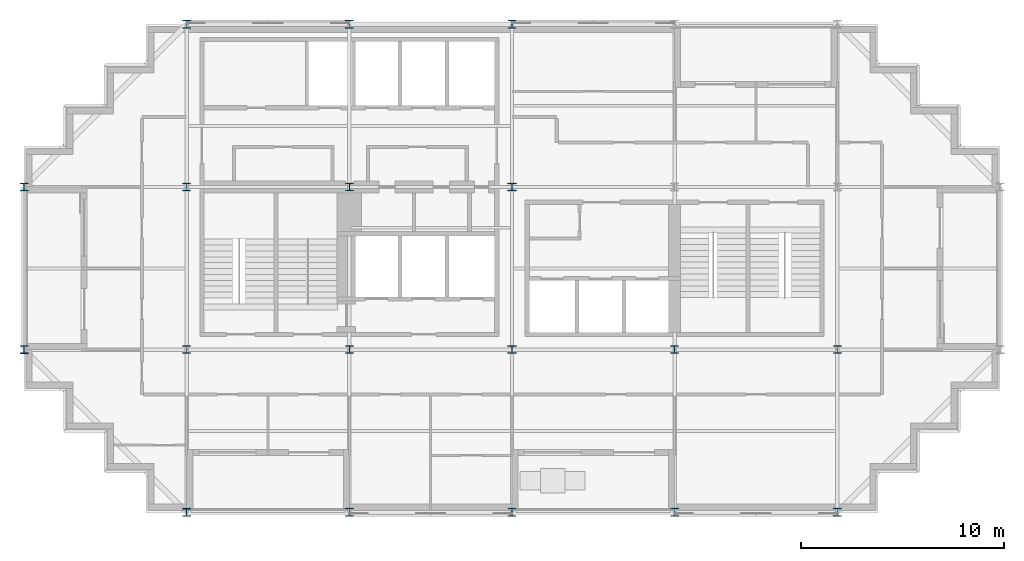
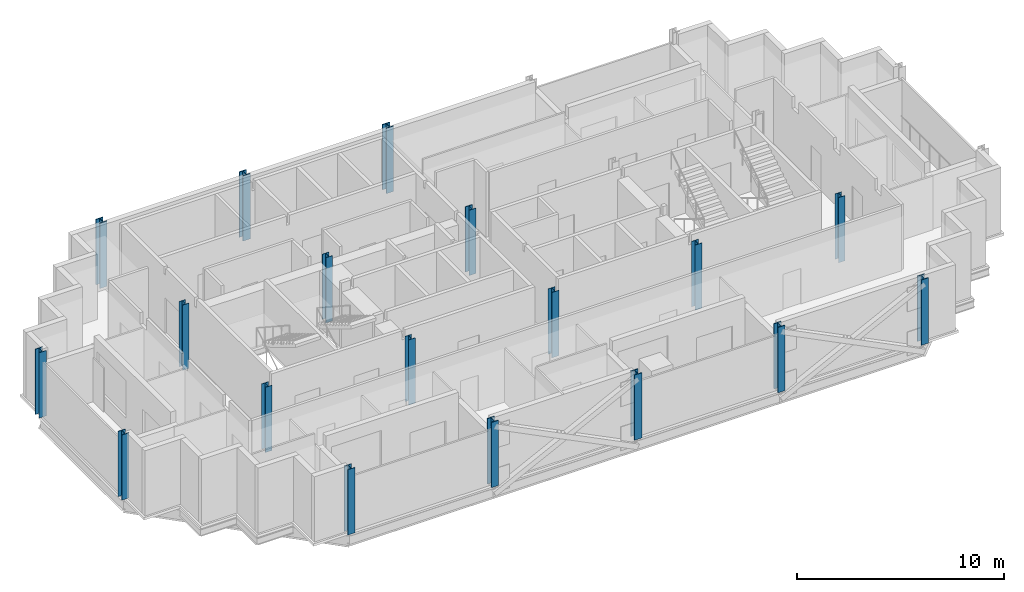
# One storey, part 1 of 10: 18 columns.
"""IFC4 building model written with IfcOpenShell, lengths in metres."""

import ifcopenshell
import ifcopenshell.guid

model = None  # the IFC model being written
_history = None  # IfcOwnerHistory: only IFC2X3 demands one
_inside = {}  # id of a spatial element -> (the spatial element, [elements in it])
_under = {}  # id of a project, library or spatial element -> (it, [spatial elements below it])
_declared = {}  # id of a project -> (the project, [libraries it declares])
_typed = {}  # id of a type object -> (the type object, [elements of that type])
_made_of = {}  # id of a material, layer set ... -> (it, [elements and type objects made of it])


def new_model(schema):
    """Start an empty IFC model of exactly this schema.

    Asked for "IFC4X3", IfcOpenShell would pick the latest addendum, in which some entities
    have other attributes; the version numbers below select the first issue.
    IFC2X3 requires an IfcOwnerHistory on every rooted entity: one is made here for all.
    """
    global model, _history
    if schema == "IFC4X3":
        model = ifcopenshell.file(schema_version=(4, 3, 0, 0))
    else:
        model = ifcopenshell.file(schema=schema)
    _inside.clear()
    _under.clear()
    _declared.clear()
    _typed.clear()
    _made_of.clear()
    _history = None
    if model.schema == "IFC2X3":
        org = make("IfcOrganization", Name="unknown")
        user = make(
            "IfcPersonAndOrganization",
            ThePerson=make("IfcPerson", FamilyName="unknown"),
            TheOrganization=org,
        )
        app = make(
            "IfcApplication",
            ApplicationDeveloper=org,
            Version="unknown",
            ApplicationFullName="unknown",
            ApplicationIdentifier="unknown",
        )
        _history = make(
            "IfcOwnerHistory",
            OwningUser=user,
            OwningApplication=app,
            ChangeAction="ADDED",
            CreationDate=0,
        )
    return model


def make(cls, **values):
    """One entity of the class cls with the attributes given. An attribute that is None is left unset."""
    return model.create_entity(
        cls, **{name: value for name, value in values.items() if value is not None}
    )


def rooted(cls, **values):
    """An entity with a GlobalId (a new one), such as an element, a storey or a relation."""
    return make(cls, GlobalId=ifcopenshell.guid.new(), OwnerHistory=_history, **values)


def si_unit(unit_type, name, prefix=None):
    """IfcSIUnit, for example si_unit("LENGTHUNIT", "METRE", prefix="MILLI")."""
    return make("IfcSIUnit", UnitType=unit_type, Prefix=prefix, Name=name)


def assignment(units):
    """IfcUnitAssignment: the units of a project."""
    return None if units is None else make("IfcUnitAssignment", Units=units)


def point(xyz):
    """IfcCartesianPoint."""
    return None if xyz is None else make("IfcCartesianPoint", Coordinates=xyz)


def direction(xyz):
    """IfcDirection."""
    return None if xyz is None else make("IfcDirection", DirectionRatios=xyz)


def frame(location, z_axis=None, x_axis=None):
    """IfcAxis2Placement3D, a coordinate frame: its origin and axes. An axis left out is left unset."""
    return make(
        "IfcAxis2Placement3D",
        Location=point(location),
        Axis=direction(z_axis),
        RefDirection=direction(x_axis),
    )


def frame_2d(location, x_axis=None):
    """IfcAxis2Placement2D, a coordinate frame in the plane: its origin and x axis."""
    return make(
        "IfcAxis2Placement2D", Location=point(location), RefDirection=direction(x_axis)
    )


def origin():
    """The frame at (0, 0, 0) with its axes left unset."""
    return frame((0.0, 0.0, 0.0))


def origin_2d():
    """The frame at (0, 0) in the plane with its x axis left unset."""
    return frame_2d((0.0, 0.0))


def place(relative_to, where):
    """IfcLocalPlacement: puts the frame where relative to a parent placement (None: the world)."""
    return make(
        "IfcLocalPlacement", PlacementRelTo=relative_to, RelativePlacement=where
    )


def context(
    kind, dimensions, precision=None, world=None, true_north=None, identifier=None
):
    """IfcGeometricRepresentationContext, for example the 3D "Model" context."""
    return make(
        "IfcGeometricRepresentationContext",
        ContextIdentifier=identifier,
        ContextType=kind,
        CoordinateSpaceDimension=dimensions,
        Precision=precision,
        WorldCoordinateSystem=world,
        TrueNorth=true_north,
    )


def subcontext(parent, identifier, kind, view, scale=None):
    """IfcGeometricRepresentationSubContext, for example "Body" below "Model"."""
    return make(
        "IfcGeometricRepresentationSubContext",
        ContextIdentifier=identifier,
        ContextType=kind,
        ParentContext=parent,
        TargetScale=scale,
        TargetView=view,
    )


def project(units=None, contexts=None):
    """IfcProject with its units and contexts."""
    return rooted(
        "IfcProject",
        Name="project",
        RepresentationContexts=contexts,
        UnitsInContext=assignment(units),
    )


def spatial(cls, under=None, at=None, **own):
    """A site, building, storey or space (cls), placed at a placement, below another one or the project."""
    s = rooted(cls, ObjectPlacement=at, **own)
    if under is not None:
        _under.setdefault(under.id(), (under, []))[1].append(s)
    return s


def profile(cls, at=None, kind="AREA", **sizes):
    """A parametric profile (cls). Its sizes go by their IFC names, for example OverallWidth=200.0."""
    return make(cls, ProfileType=kind, Position=at, **sizes)


def i_section(**sizes):
    """IfcIShapeProfileDef."""
    return profile("IfcIShapeProfileDef", **sizes)


def extrude(swept, where, along, depth):
    """IfcExtrudedAreaSolid: the profile swept, set in the frame where, extruded along a direction by depth."""
    return make(
        "IfcExtrudedAreaSolid",
        SweptArea=swept,
        Position=where,
        ExtrudedDirection=direction(along),
        Depth=depth,
    )


def shape(context_of_items, identifier, shape_type, items):
    """IfcShapeRepresentation: the items that make up one representation, for example the "Body"."""
    return make(
        "IfcShapeRepresentation",
        ContextOfItems=context_of_items,
        RepresentationIdentifier=identifier,
        RepresentationType=shape_type,
        Items=items,
    )


def material(Name=None, Category=None):
    """IfcMaterial."""
    return make("IfcMaterial", Name=Name, Category=Category)


def material_profile(
    of_material, cross_section, Name=None, Category=None, Priority=None
):
    """IfcMaterialProfile: a cross section and its material."""
    return make(
        "IfcMaterialProfile",
        Name=Name,
        Material=of_material,
        Profile=cross_section,
        Priority=Priority,
        Category=Category,
    )


def profile_set(profiles, Name=None, composite=None):
    """IfcMaterialProfileSet."""
    return make(
        "IfcMaterialProfileSet",
        Name=Name,
        MaterialProfiles=profiles,
        CompositeProfile=composite,
    )


def made_of(thing, what):
    """Note that an element or type object is made of a material, layer set ...; save() writes the relation."""
    if what is not None:
        _made_of.setdefault(what.id(), (what, []))[1].append(thing)
    return thing


def type_object(cls, material=None, **own):
    """A type object (cls), such as IfcWallType, which elements share."""
    return made_of(rooted(cls, **own), material)


def element(
    cls,
    number,
    at=None,
    inside=None,
    cuts=None,
    type_object=None,
    material=None,
    context=None,
    identifier="Body",
    shape_type=None,
    held_by="IfcProductDefinitionShape",
    body=None,
    shapes=None,
    **own,
):
    """One element of the class cls, such as IfcWall. Its Tag is "e" and its number.

    at: its placement. inside: the storey or other place that contains it. cuts: it is an
    opening in that element (IfcRelVoidsElement). A single representation is given by context,
    identifier, shape_type and body (its items); several are given by shapes. held_by: the class
    of the entity that holds the representations. save() writes the other relations.
    """
    e = rooted(cls, Tag="e%d" % number, ObjectPlacement=at, **own)
    if body is not None:
        shapes = [shape(context, identifier, shape_type, body)]
    if shapes is not None:
        e.Representation = make(held_by, Representations=shapes)
    if inside is not None:
        _inside.setdefault(inside.id(), (inside, []))[1].append(e)
    if cuts is not None:
        rooted(
            "IfcRelVoidsElement", RelatingBuildingElement=cuts, RelatedOpeningElement=e
        )
    if type_object is not None:
        _typed.setdefault(type_object.id(), (type_object, []))[1].append(e)
    return made_of(e, material)


def aggregate(whole, parts):
    """IfcRelAggregates: a whole, such as a stair, and the parts it consists of."""
    return rooted("IfcRelAggregates", RelatingObject=whole, RelatedObjects=parts)


def save(model, path):
    """Write the relations noted so far, then the file.

    IfcRelAggregates (storeys below a building ...), IfcRelContainedInSpatialStructure (elements
    in a storey), IfcRelDefinesByType, IfcRelAssociatesMaterial and IfcRelDeclares: one each for
    every whole, place, type object, material and project.
    """
    for whole, parts in _under.values():
        aggregate(whole, parts)
    for where, things in _inside.values():
        rooted(
            "IfcRelContainedInSpatialStructure",
            RelatedElements=things,
            RelatingStructure=where,
        )
    for kind, things in _typed.values():
        rooted("IfcRelDefinesByType", RelatedObjects=things, RelatingType=kind)
    for what, things in _made_of.values():
        rooted("IfcRelAssociatesMaterial", RelatedObjects=things, RelatingMaterial=what)
    for by, libraries in _declared.values():
        rooted("IfcRelDeclares", RelatingContext=by, RelatedDefinitions=libraries)
    model.write(path)


model = new_model("IFC4")

# Units and contexts
model_context = context("Model", 3, precision=1e-05, world=origin(), true_north=direction((0.0, 1.0)))
body_context = subcontext(model_context, "Body", "Model", "MODEL_VIEW")
ifc_project = project(units=[si_unit("LENGTHUNIT", "METRE"), si_unit("AREAUNIT", "SQUARE_METRE"), si_unit("VOLUMEUNIT", "CUBIC_METRE"), si_unit("PLANEANGLEUNIT", "RADIAN"), si_unit("MASSUNIT", "GRAM", prefix="KILO")], contexts=[model_context])

# Site, building, storey
site_placement = place(None, origin())
site = spatial("IfcSite", under=ifc_project, at=site_placement, CompositionType="ELEMENT")
building_placement = place(site_placement, origin())
building = spatial("IfcBuilding", under=site, at=building_placement, Name="Immortelle Media Tower", CompositionType="ELEMENT")
storey_placement = place(building_placement, frame((0.0, 0.0, 233.0)))
storey = spatial("IfcBuildingStorey", under=building, at=storey_placement, Name="L50", CompositionType="ELEMENT", Elevation=233.0)

# Columns
ifc_material = material(Name="Steel ASTM A992 Gr 50", Category="steel")
ifc_material_profile_1 = material_profile(ifc_material, i_section(OverallWidth=0.373046875, OverallDepth=0.367919921875, WebThickness=0.014892578125, FlangeThickness=0.02392578125, at=origin_2d()), Name="W14x120")
ifc_profile_set_1 = profile_set([ifc_material_profile_1], Name="Steel ASTM A992 Gr 50")
column_type_1 = type_object("IfcColumnType", Name="W14x120 column", PredefinedType="COLUMN", material=ifc_profile_set_1)
for number, where, z_axis, x_axis, name in (
    (1, (8.0, 8.0, 0.0), (0.0, 0.0, 1.0), (1.0, 0.0, 0.0), "Column 2/B"),
    (2, (8.0, 16.0, 0.0), (0.0, 0.0, 1.0), (1.0, 0.0, 0.0), "Column 2/C"),
    (3, (16.0, 8.0, 0.0), (0.0, 0.0, 1.0), (1.0, 0.0, 0.0), "Column 3/B"),
    (4, (16.0, 16.0, 0.0), (0.0, 0.0, 1.0), (1.0, 0.0, 0.0), "Column 3/C"),
    (5, (32.0, 8.0, 0.0), (0.0, 0.0, 1.0), (1.0, 0.0, 0.0), "Column 5/B"),
    (6, (40.0, 8.0, 0.0), (0.0, 0.0, 1.0), (1.0, 0.0, 0.0), "Column 6/B"),
):
    element("IfcColumn", number, at=place(storey_placement, frame(where, z_axis=z_axis, x_axis=x_axis)), inside=storey, type_object=column_type_1, Name=name, PredefinedType="COLUMN", context=body_context, shape_type="SweptSolid", body=[
        extrude(i_section(OverallWidth=0.373046875, OverallDepth=0.367919921875, WebThickness=0.014892578125, FlangeThickness=0.02392578125, at=origin_2d()), origin(), (0.0, 0.0, 1.0), 3.85009765625),
    ])
ifc_material_profile_2 = material_profile(ifc_material, i_section(OverallWidth=0.39404296875, OverallDepth=0.3759765625, WebThickness=0.01708984375, FlangeThickness=0.028076171875, at=origin_2d()), Name="W14x145")
ifc_profile_set_2 = profile_set([ifc_material_profile_2], Name="Steel ASTM A992 Gr 50")
column_type_2 = type_object("IfcColumnType", Name="W14x145 column", PredefinedType="COLUMN", material=ifc_profile_set_2)
for number, where, z_axis, x_axis, name in (
    (7, (24.0, 8.0, 0.0), (0.0, 0.0, 1.0), (1.0, 0.0, 0.0), "Column 4/B"),
    (8, (24.0, 16.0, 0.0), (0.0, 0.0, 1.0), (1.0, 0.0, 0.0), "Column 4/C"),
):
    element("IfcColumn", number, at=place(storey_placement, frame(where, z_axis=z_axis, x_axis=x_axis)), inside=storey, type_object=column_type_2, Name=name, PredefinedType="COLUMN", context=body_context, shape_type="SweptSolid", body=[
        extrude(i_section(OverallWidth=0.39404296875, OverallDepth=0.3759765625, WebThickness=0.01708984375, FlangeThickness=0.028076171875, at=origin_2d()), origin(), (0.0, 0.0, 1.0), 3.85009765625),
    ])
ifc_material_profile_3 = material_profile(ifc_material, i_section(OverallWidth=0.39892578125, OverallDepth=0.385986328125, WebThickness=0.02099609375, FlangeThickness=0.032958984375, at=origin_2d()), Name="W14x176")
ifc_profile_set_3 = profile_set([ifc_material_profile_3], Name="Steel ASTM A992 Gr 50")
column_type_3 = type_object("IfcColumnType", Name="W14x176 column", PredefinedType="COLUMN", material=ifc_profile_set_3)
for number, where, z_axis, x_axis, name in (
    (9, (0.0, 8.0, 0.0), (0.0, 0.0, 1.0), (1.0, 0.0, 0.0), "Column 1/B"),
    (10, (0.0, 16.0, 0.0), (0.0, 0.0, 1.0), (1.0, 0.0, 0.0), "Column 1/C"),
    (11, (8.0, 0.0, 0.0), (0.0, 0.0, 1.0), (1.0, 0.0, 0.0), "Column 2/A"),
):
    element("IfcColumn", number, at=place(storey_placement, frame(where, z_axis=z_axis, x_axis=x_axis)), inside=storey, type_object=column_type_3, Name=name, PredefinedType="COLUMN", context=body_context, shape_type="SweptSolid", body=[
        extrude(i_section(OverallWidth=0.39892578125, OverallDepth=0.385986328125, WebThickness=0.02099609375, FlangeThickness=0.032958984375, at=origin_2d()), origin(), (0.0, 0.0, 1.0), 3.85009765625),
    ])
ifc_material_profile_4 = material_profile(ifc_material, i_section(OverallWidth=0.406005859375, OverallDepth=0.4169921875, WebThickness=0.030029296875, FlangeThickness=0.048095703125, at=origin_2d()), Name="W14x257")
ifc_profile_set_4 = profile_set([ifc_material_profile_4], Name="Steel ASTM A992 Gr 50")
column_type_4 = type_object("IfcColumnType", Name="W14x257 column", PredefinedType="COLUMN", material=ifc_profile_set_4)
for number, where, z_axis, x_axis, name in (
    (12, (8.0, 24.0, 0.0), (0.0, 0.0, 1.0), (1.0, 0.0, 0.0), "Column 2/D"),
    (13, (16.0, 0.0, 0.0), (0.0, 0.0, 1.0), (1.0, 0.0, 0.0), "Column 3/A"),
    (14, (16.0, 24.0, 0.0), (0.0, 0.0, 1.0), (1.0, 0.0, 0.0), "Column 3/D"),
    (15, (24.0, 0.0, 0.0), (0.0, 0.0, 1.0), (1.0, 0.0, 0.0), "Column 4/A"),
    (16, (24.0, 24.0, 0.0), (0.0, 0.0, 1.0), (1.0, 0.0, 0.0), "Column 4/D"),
    (17, (32.0, 0.0, 0.0), (0.0, 0.0, 1.0), (1.0, 0.0, 0.0), "Column 5/A"),
    (18, (40.0, 0.0, 0.0), (0.0, 0.0, 1.0), (1.0, 0.0, 0.0), "Column 6/A"),
):
    element("IfcColumn", number, at=place(storey_placement, frame(where, z_axis=z_axis, x_axis=x_axis)), inside=storey, type_object=column_type_4, Name=name, PredefinedType="COLUMN", context=body_context, shape_type="SweptSolid", body=[
        extrude(i_section(OverallWidth=0.406005859375, OverallDepth=0.4169921875, WebThickness=0.030029296875, FlangeThickness=0.048095703125, at=origin_2d()), origin(), (0.0, 0.0, 1.0), 3.85009765625),
    ])

save(model, "model.ifc")
